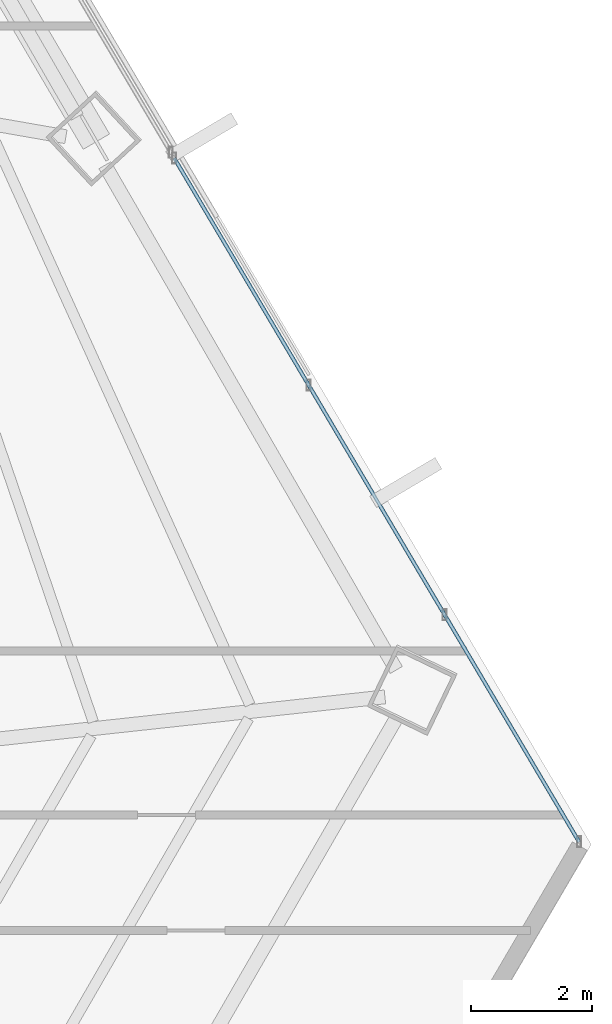
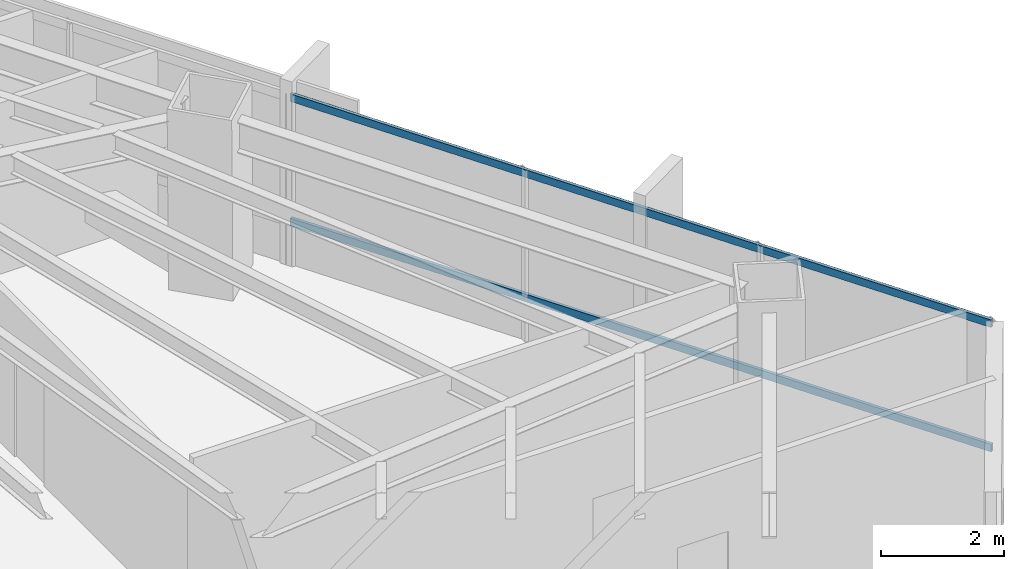
# One storey, part 22 of 35: 2 members, 1 element without a shape of its own.
"""IFC4 building model written with IfcOpenShell, lengths in metres."""

from ifc_helpers import new_model, si_unit, direction, frame, origin, origin_2d, place, context, subcontext, project, spatial, hollow_rectangle, extrude, source, transform, mapped, material, material_profile, profile_set, type_object, type_shapes, element, aggregate, save


model = new_model("IFC4")

# Units and contexts
model_context = context("Model", 3, precision=1e-05, world=origin(), true_north=direction((0.0, 1.0)))
body_context = subcontext(model_context, "Body", "Model", "MODEL_VIEW")
ifc_project = project(units=[si_unit("LENGTHUNIT", "METRE"), si_unit("AREAUNIT", "SQUARE_METRE"), si_unit("VOLUMEUNIT", "CUBIC_METRE"), si_unit("PLANEANGLEUNIT", "RADIAN"), si_unit("MASSUNIT", "GRAM", prefix="KILO")], contexts=[model_context])

# Site, building, storey
site_placement = place(None, origin())
site = spatial("IfcSite", under=ifc_project, at=site_placement, CompositionType="ELEMENT")
building_placement = place(site_placement, origin())
building = spatial("IfcBuilding", under=site, at=building_placement, Name="Caelisora Broadcast Tower", CompositionType="ELEMENT")
storey_placement = place(building_placement, frame((0.0, 0.0, 109.050048828125)))
storey = spatial("IfcBuildingStorey", under=building, at=storey_placement, Name="L28", CompositionType="ELEMENT", Elevation=109.050048828125)

# Curtain wall, members
ifc_material_1 = material(Name="Unitised Aluminium and Low-E Glass Curtain Wall", Category="glass")
curtain_wall_type = type_object("IfcCurtainWallType", Name="CW-Z2", PredefinedType="NOTDEFINED", material=ifc_material_1)
curtain_wall_placement = place(storey_placement, origin())
curtain_wall = element("IfcCurtainWall", 1, at=curtain_wall_placement, inside=storey, type_object=curtain_wall_type, Name="L28 curtain wall CW-Z2", PredefinedType="NOTDEFINED")
ifc_material_2 = material(Name="Aluminium 6063-T6 Anodised Terracotta Bronze", Category="aluminium")
ifc_material_profile = material_profile(ifc_material_2, hollow_rectangle(XDim=0.06005859375, YDim=0.14990234375, WallThickness=0.00341796875, at=origin_2d()), Name="Aluminium 6063-T6 Anodised Terracotta Bronze")
ifc_profile_set = profile_set([ifc_material_profile], Name="Aluminium 6063-T6 Anodised Terracotta Bronze")
member_type = type_object("IfcMemberType", Name="CWT-02", PredefinedType="USERDEFINED", material=ifc_profile_set)
shared_shape = source(origin(), body_context, "Body", "SweptSolid", [
    extrude(hollow_rectangle(XDim=0.06005859375, YDim=0.14990234375, WallThickness=0.00341796875, at=origin_2d()), origin(), (0.0, 0.0, 1.0), 13.091064453125),
])
type_shapes(member_type, [shared_shape])
member_1_placement = place(storey_placement, frame((57.1689453125, 27.922607421875, 0.849853515625), z_axis=(0.509468023372, -0.860489589223, 0.0), x_axis=(0.860489589223, 0.509468023372, 0.0)))
member_1 = element("IfcMember", 2, at=member_1_placement, type_object=member_type, Name="L28-CW-B03 transom #1", ObjectType="TRANSOM", PredefinedType="USERDEFINED", context=body_context, shape_type="MappedRepresentation", body=[
    mapped(shared_shape, transform((0.0, 0.0, 0.0), scale=1.0)),
])
member_2_placement = place(storey_placement, frame((57.1689453125, 27.922607421875, 3.320068359375), z_axis=(0.509468023372, -0.860489589223, 0.0), x_axis=(0.860489589223, 0.509468023372, 0.0)))
member_2 = element("IfcMember", 3, at=member_2_placement, type_object=member_type, Name="L28-CW-B03 transom #2", ObjectType="TRANSOM", PredefinedType="USERDEFINED", context=body_context, shape_type="MappedRepresentation", body=[
    mapped(shared_shape, transform((0.0, 0.0, 0.0), scale=1.0)),
])
aggregate(curtain_wall, [member_1, member_2])

save(model, "model.ifc")
